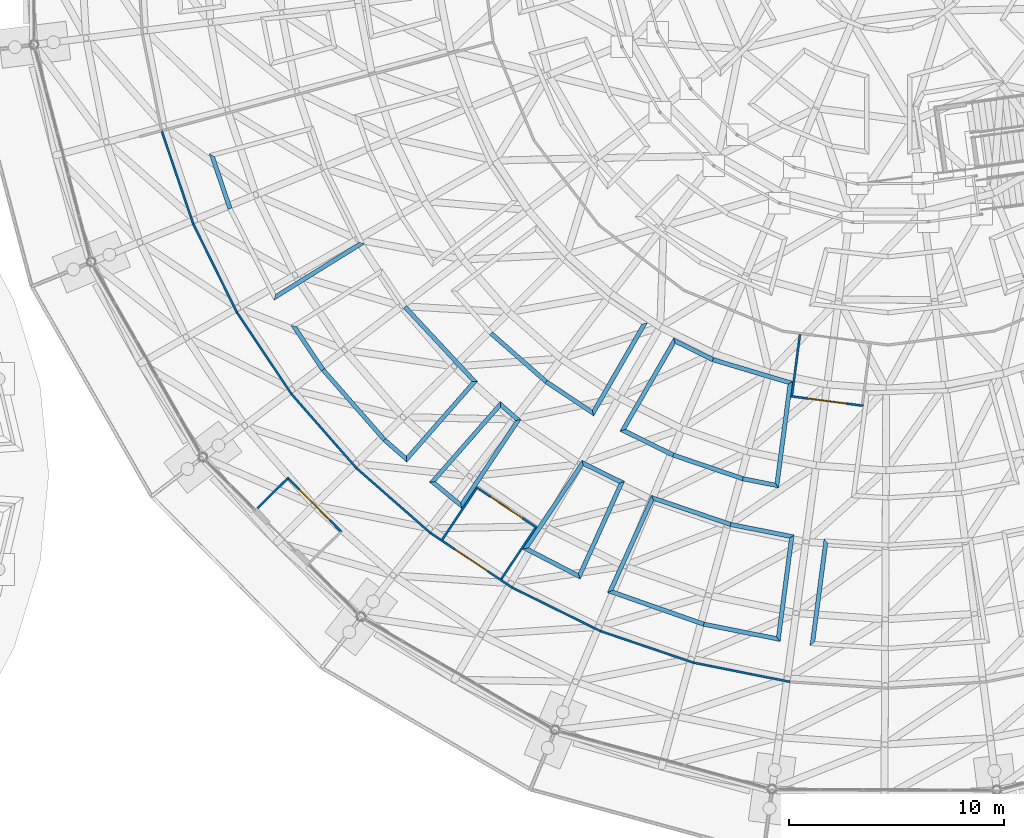
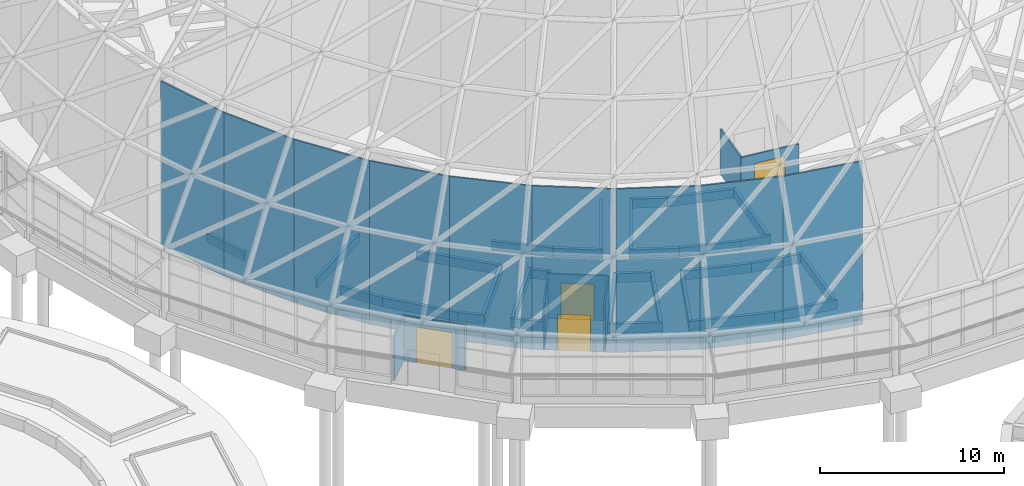
# One storey, part 167 of 226: 48 walls, 4 doors, 4 openings.
"""IFC4 building model written with IfcOpenShell, lengths in metres."""

from ifc_helpers import new_model, si_unit, direction, frame, frame_2d, origin, place, context, subcontext, project, spatial, polyline, rectangle, outline, extrude, material, layer, layer_set, type_object, element, fill, save


model = new_model("IFC4")

# Units and contexts
model_context = context("Model", 3, precision=1e-05, world=origin(), true_north=direction((0.0, 1.0)))
body_context = subcontext(model_context, "Body", "Model", "MODEL_VIEW")
ifc_project = project(units=[si_unit("LENGTHUNIT", "METRE"), si_unit("AREAUNIT", "SQUARE_METRE"), si_unit("VOLUMEUNIT", "CUBIC_METRE"), si_unit("PLANEANGLEUNIT", "RADIAN"), si_unit("MASSUNIT", "GRAM", prefix="KILO")], contexts=[model_context])

# Site, building, storey
site_placement = place(None, origin())
site = spatial("IfcSite", under=ifc_project, at=site_placement, CompositionType="ELEMENT")
building_placement = place(site_placement, origin())
building = spatial("IfcBuilding", under=site, at=building_placement, Name="Ceibo Conservatory and Research Tower", CompositionType="ELEMENT")
storey_placement = place(building_placement, origin())
storey = spatial("IfcBuildingStorey", under=building, at=storey_placement, Name="L00", CompositionType="ELEMENT", Elevation=0.0)

# Wall
ifc_material_1 = material(Name="Aluminium and glass", Category="aluminium")
ifc_layer_1 = layer(ifc_material_1, 0.10009765625)
ifc_layer_set_1 = layer_set([ifc_layer_1], Name="Aluminium and glass")
wall_type_1 = type_object("IfcWallType", Name="Airlock screen wall 100", PredefinedType="PARTITIONING", material=ifc_layer_set_1)
wall_1_placement = place(storey_placement, frame((126.6923828125, 81.4111328125, 0.0), z_axis=(0.0, 0.0, 1.0), x_axis=(0.710212756129, 0.703987102887, 0.0)))
element("IfcWall", 1, at=wall_1_placement, inside=storey, type_object=wall_type_1, Name="Vestibule wall A-VW15", PredefinedType="PARTITIONING", context=body_context, shape_type="SweptSolid", body=[
    extrude(outline(polyline([(0.0, -0.050048828125), (1.949951171875, -0.050048828125), (2.050048828125, 0.050048828125), (0.0, 0.050048828125), (0.0, -0.050048828125)])), origin(), (0.0, 0.0, 1.0), 3.0),
])

# Wall, opening, door
wall_2_placement = place(storey_placement, frame((128.11279296875, 82.819091796875, 0.0), z_axis=(0.0, 0.0, 1.0), x_axis=(0.704030927659, -0.71016931284, 0.0)))
wall_2 = element("IfcWall", 2, at=wall_2_placement, inside=storey, type_object=wall_type_1, Name="Vestibule wall A-VW15", PredefinedType="PARTITIONING", context=body_context, shape_type="SweptSolid", body=[
    extrude(outline(polyline([(0.050048828125, -0.050048828125), (3.449951171875, -0.050048828125), (3.550048828125, 0.050048828125), (-0.050048828125, 0.050048828125), (0.050048828125, -0.050048828125)])), origin(), (0.0, 0.0, 1.0), 3.0),
])
opening_1_placement = place(wall_2_placement, frame((0.75, 0.0, 0.0)))
opening_1 = element("IfcOpeningElement", 3, at=opening_1_placement, cuts=wall_2, Name="Opening A-VD15", PredefinedType="OPENING", context=body_context, shape_type="SweptSolid", body=[
    extrude(rectangle(XDim=2.0, YDim=2.39990234375, at=frame_2d((1.0, 1.199951171875))), frame((0.0, 0.06005859375, 0.0), z_axis=(0.0, -1.0, 0.0), x_axis=(1.0, 0.0, 0.0)), (0.0, 0.0, 1.0), 0.1201171875),
])
door_type_1 = type_object("IfcDoorType", Name="Gallery sliding door 2000x2400", OperationType="DOUBLE_DOOR_SLIDING", PredefinedType="DOOR", material=ifc_material_1)
door_1_placement = place(opening_1_placement, origin())
door_1 = element("IfcDoor", 4, at=door_1_placement, inside=storey, type_object=door_type_1, Name="Vestibule door A-VD15", OperationType="DOUBLE_DOOR_SLIDING", OverallHeight=2.39990234375, OverallWidth=2.0, PredefinedType="DOOR", context=body_context, shape_type="SweptSolid", body=[
    extrude(rectangle(XDim=2.0, YDim=2.39990234375, at=frame_2d((1.0, 1.199951171875))), frame((0.0, 0.02490234375, 0.0), z_axis=(0.0, -1.0, 0.0), x_axis=(1.0, 0.0, 0.0)), (0.0, 0.0, 1.0), 0.050048828125),
])
fill(opening_1, door_1)

# Walls
wall_3_placement = place(storey_placement, frame((122.240966796875, 98.954345703125, 0.0), z_axis=(0.0, 0.0, 1.0), x_axis=(0.321429748592, -0.946933427818, 0.0)))
element("IfcWall", 5, at=wall_3_placement, inside=storey, type_object=wall_type_1, Name="Glazed partition O", PredefinedType="PARTITIONING", context=body_context, shape_type="SweptSolid", body=[
    extrude(outline(polyline([(-0.003173828125, -0.050048828125), (4.574951171875, -0.050048828125), (4.568603515625, 0.050048828125), (0.003173828125, 0.050048828125), (-0.003173828125, -0.050048828125)])), origin(), (0.0, 0.0, 1.0), 10.841552734375),
])
wall_4_placement = place(storey_placement, frame((123.71044921875, 94.625244140625, 0.0), z_axis=(0.0, 0.0, 1.0), x_axis=(0.442293661028, -0.896870290184, 0.0)))
element("IfcWall", 6, at=wall_4_placement, inside=storey, type_object=wall_type_1, Name="Glazed partition O", PredefinedType="PARTITIONING", context=body_context, shape_type="SweptSolid", body=[
    extrude(outline(polyline([(-0.003173828125, -0.050048828125), (4.57470703125, -0.050048828125), (4.568359375, 0.050048828125), (0.003173828125, 0.050048828125), (-0.003173828125, -0.050048828125)])), origin(), (0.0, 0.0, 1.0), 10.84130859375),
])
wall_5_placement = place(storey_placement, frame((125.732421875, 90.525146484375, 0.0), z_axis=(0.0, 0.0, 1.0), x_axis=(0.555587164031, -0.831458299113, 0.0)))
element("IfcWall", 7, at=wall_5_placement, inside=storey, type_object=wall_type_1, Name="Glazed partition O", PredefinedType="PARTITIONING", context=body_context, shape_type="SweptSolid", body=[
    extrude(outline(polyline([(-0.003173828125, -0.050048828125), (4.574951171875, -0.050048828125), (4.568603515625, 0.050048828125), (0.003173828125, 0.050048828125), (-0.003173828125, -0.050048828125)])), origin(), (0.0, 0.0, 1.0), 10.841552734375),
])
wall_6_placement = place(storey_placement, frame((128.2724609375, 86.723876953125, 0.0), z_axis=(0.0, 0.0, 1.0), x_axis=(0.659317088075, -0.751864999433, 0.0)))
element("IfcWall", 8, at=wall_6_placement, inside=storey, type_object=wall_type_1, Name="Glazed partition O", PredefinedType="PARTITIONING", context=body_context, shape_type="SweptSolid", body=[
    extrude(outline(polyline([(-0.003173828125, -0.050048828125), (4.57470703125, -0.050048828125), (4.568359375, 0.050048828125), (0.003173828125, 0.050048828125), (-0.003173828125, -0.050048828125)])), origin(), (0.0, 0.0, 1.0), 10.841552734375),
])
wall_7_placement = place(storey_placement, frame((131.28662109375, 83.28662109375, 0.0), z_axis=(0.0, 0.0, 1.0), x_axis=(0.751864999433, -0.659317088075, 0.0)))
element("IfcWall", 9, at=wall_7_placement, inside=storey, type_object=wall_type_1, Name="Glazed partition O", PredefinedType="PARTITIONING", context=body_context, shape_type="SweptSolid", body=[
    extrude(outline(polyline([(-0.003173828125, -0.050048828125), (4.57470703125, -0.050048828125), (4.568359375, 0.050048828125), (0.003173828125, 0.050048828125), (-0.003173828125, -0.050048828125)])), origin(), (0.0, 0.0, 1.0), 10.84130859375),
])

# Wall, opening, door
wall_8_placement = place(storey_placement, frame((134.723876953125, 80.2724609375, 0.0), z_axis=(0.0, 0.0, 1.0), x_axis=(0.831458299113, -0.555587164031, 0.0)))
wall_8 = element("IfcWall", 10, at=wall_8_placement, inside=storey, type_object=wall_type_1, Name="Glazed partition O", PredefinedType="PARTITIONING", context=body_context, shape_type="SweptSolid", body=[
    extrude(outline(polyline([(-0.003173828125, -0.050048828125), (4.574951171875, -0.050048828125), (4.568603515625, 0.050048828125), (0.003173828125, 0.050048828125), (-0.003173828125, -0.050048828125)])), origin(), (0.0, 0.0, 1.0), 10.841552734375),
])
opening_2_placement = place(wall_8_placement, frame((1.385986328125, 0.0, 0.0)))
opening_2 = element("IfcOpeningElement", 11, at=opening_2_placement, cuts=wall_8, Name="Opening A-AL07", PredefinedType="OPENING", context=body_context, shape_type="SweptSolid", body=[
    extrude(rectangle(XDim=1.800048828125, YDim=2.39990234375, at=frame_2d((0.89990234375, 1.199951171875))), frame((0.0, 0.06005859375, 0.0), z_axis=(0.0, -1.0, 0.0), x_axis=(1.0, 0.0, 0.0)), (0.0, 0.0, 1.0), 0.1201171875),
])
door_type_2 = type_object("IfcDoorType", Name="Glass sliding door 1800x2400", OperationType="DOUBLE_DOOR_SLIDING", PredefinedType="DOOR", material=ifc_material_1)
door_2_placement = place(opening_2_placement, origin())
door_2 = element("IfcDoor", 12, at=door_2_placement, inside=storey, type_object=door_type_2, Name="Airlock door A-AL07", OperationType="DOUBLE_DOOR_SLIDING", OverallHeight=2.39990234375, OverallWidth=1.800048828125, PredefinedType="DOOR", context=body_context, shape_type="SweptSolid", body=[
    extrude(rectangle(XDim=1.800048828125, YDim=2.39990234375, at=frame_2d((0.89990234375, 1.199951171875))), frame((0.0, 0.02490234375, 0.0), z_axis=(0.0, -1.0, 0.0), x_axis=(1.0, 0.0, 0.0)), (0.0, 0.0, 1.0), 0.050048828125),
])
fill(opening_2, door_2)

# Walls
wall_9_placement = place(storey_placement, frame((138.525146484375, 77.732421875, 0.0), z_axis=(0.0, 0.0, 1.0), x_axis=(0.896870290184, -0.442293661028, 0.0)))
element("IfcWall", 13, at=wall_9_placement, inside=storey, type_object=wall_type_1, Name="Glazed partition O", PredefinedType="PARTITIONING", context=body_context, shape_type="SweptSolid", body=[
    extrude(outline(polyline([(-0.003173828125, -0.050048828125), (4.57470703125, -0.050048828125), (4.568359375, 0.050048828125), (0.003173828125, 0.050048828125), (-0.003173828125, -0.050048828125)])), origin(), (0.0, 0.0, 1.0), 10.841552734375),
])
wall_10_placement = place(storey_placement, frame((142.625244140625, 75.71044921875, 0.0), z_axis=(0.0, 0.0, 1.0), x_axis=(0.946933427818, -0.321429748592, 0.0)))
element("IfcWall", 14, at=wall_10_placement, inside=storey, type_object=wall_type_1, Name="Glazed partition O", PredefinedType="PARTITIONING", context=body_context, shape_type="SweptSolid", body=[
    extrude(outline(polyline([(-0.003173828125, -0.050048828125), (4.574951171875, -0.050048828125), (4.568603515625, 0.050048828125), (0.003173828125, 0.050048828125), (-0.003173828125, -0.050048828125)])), origin(), (0.0, 0.0, 1.0), 10.84130859375),
])
wall_11_placement = place(storey_placement, frame((146.954345703125, 74.240966796875, 0.0), z_axis=(0.0, 0.0, 1.0), x_axis=(0.9807875747, -0.195078787454, 0.0)))
element("IfcWall", 15, at=wall_11_placement, inside=storey, type_object=wall_type_1, Name="Glazed partition O", PredefinedType="PARTITIONING", context=body_context, shape_type="SweptSolid", body=[
    extrude(outline(polyline([(-0.003173828125, -0.050048828125), (4.574951171875, -0.050048828125), (4.568603515625, 0.050048828125), (0.003173828125, 0.050048828125), (-0.003173828125, -0.050048828125)])), origin(), (0.0, 0.0, 1.0), 10.841552734375),
])
wall_12_placement = place(storey_placement, frame((135.2802734375, 79.960693359375, 0.0), z_axis=(0.0, 0.0, 1.0), x_axis=(0.555609208993, 0.831443568068, 0.0)))
element("IfcWall", 16, at=wall_12_placement, inside=storey, type_object=wall_type_1, Name="Glazed partition A", PredefinedType="PARTITIONING", context=body_context, shape_type="SweptSolid", body=[
    extrude(rectangle(XDim=2.85009765625, YDim=0.10009765625, at=frame_2d((1.425048828125, 0.0))), origin(), (0.0, 0.0, 1.0), 3.0),
])
wall_13_placement = place(storey_placement, frame((138.024169921875, 78.127197265625, 0.0), z_axis=(0.0, 0.0, 1.0), x_axis=(0.555569638572, 0.8314700095, 0.0)))
element("IfcWall", 17, at=wall_13_placement, inside=storey, type_object=wall_type_1, Name="Glazed partition A", PredefinedType="PARTITIONING", context=body_context, shape_type="SweptSolid", body=[
    extrude(rectangle(XDim=2.850341796875, YDim=0.10009765625, at=frame_2d((1.42529296875, 0.0))), origin(), (0.0, 0.0, 1.0), 3.0),
])

# Wall, opening, door
wall_14_placement = place(storey_placement, frame((136.85009765625, 82.399658203125, 0.0), z_axis=(0.0, 0.0, 1.0), x_axis=(0.831464319789, -0.555578153744, 0.0)))
wall_14 = element("IfcWall", 18, at=wall_14_placement, inside=storey, type_object=wall_type_1, Name="Glazed partition A", PredefinedType="PARTITIONING", context=body_context, shape_type="SweptSolid", body=[
    extrude(rectangle(XDim=3.39990234375, YDim=0.10009765625, at=frame_2d((1.699951171875, 0.0))), origin(), (0.0, 0.0, 1.0), 3.0),
])
opening_3_placement = place(wall_14_placement, frame((0.800048828125, 0.0, 0.0)))
opening_3 = element("IfcOpeningElement", 19, at=opening_3_placement, cuts=wall_14, Name="Opening A-AL08", PredefinedType="OPENING", context=body_context, shape_type="SweptSolid", body=[
    extrude(rectangle(XDim=1.800048828125, YDim=2.39990234375, at=frame_2d((0.89990234375, 1.199951171875))), frame((0.0, 0.06005859375, 0.0), z_axis=(0.0, -1.0, 0.0), x_axis=(1.0, 0.0, 0.0)), (0.0, 0.0, 1.0), 0.1201171875),
])
door_3_placement = place(opening_3_placement, origin())
door_3 = element("IfcDoor", 20, at=door_3_placement, inside=storey, type_object=door_type_2, Name="Airlock door A-AL08", OperationType="DOUBLE_DOOR_SLIDING", OverallHeight=2.39990234375, OverallWidth=1.800048828125, PredefinedType="DOOR", context=body_context, shape_type="SweptSolid", body=[
    extrude(rectangle(XDim=1.800048828125, YDim=2.39990234375, at=frame_2d((0.89990234375, 1.199951171875))), frame((0.0, 0.02490234375, 0.0), z_axis=(0.0, -1.0, 0.0), x_axis=(1.0, 0.0, 0.0)), (0.0, 0.0, 1.0), 0.050048828125),
])
fill(opening_3, door_3)

# Wall
wall_15_placement = place(storey_placement, frame((151.89892578125, 89.489501953125, 0.0), z_axis=(0.0, 0.0, 1.0), x_axis=(-0.130547578832, -0.991442045538, 0.0)))
element("IfcWall", 21, at=wall_15_placement, inside=storey, type_object=wall_type_1, Name="Glazed partition A", PredefinedType="PARTITIONING", context=body_context, shape_type="SweptSolid", body=[
    extrude(rectangle(XDim=2.85009765625, YDim=0.10009765625, at=frame_2d((1.425048828125, 0.0))), origin(), (0.0, 0.0, 1.0), 3.0),
])

# Wall, opening, door
wall_16_placement = place(storey_placement, frame((151.470703125, 86.620849609375, 0.0), z_axis=(0.0, 0.0, 1.0), x_axis=(0.991442315347, -0.130545529753, 0.0)))
wall_16 = element("IfcWall", 22, at=wall_16_placement, inside=storey, type_object=wall_type_1, Name="Glazed partition A", PredefinedType="PARTITIONING", context=body_context, shape_type="SweptSolid", body=[
    extrude(rectangle(XDim=3.39990234375, YDim=0.10009765625, at=frame_2d((1.699951171875, 0.0))), origin(), (0.0, 0.0, 1.0), 3.0),
])
opening_4_placement = place(wall_16_placement, frame((0.800048828125, 0.0, 0.0)))
opening_4 = element("IfcOpeningElement", 23, at=opening_4_placement, cuts=wall_16, Name="Opening A-AL18", PredefinedType="OPENING", context=body_context, shape_type="SweptSolid", body=[
    extrude(rectangle(XDim=1.800048828125, YDim=2.39990234375, at=frame_2d((0.89990234375, 1.199951171875))), frame((0.0, 0.06005859375, 0.0), z_axis=(0.0, -1.0, 0.0), x_axis=(1.0, 0.0, 0.0)), (0.0, 0.0, 1.0), 0.1201171875),
])
door_4_placement = place(opening_4_placement, origin())
door_4 = element("IfcDoor", 24, at=door_4_placement, inside=storey, type_object=door_type_2, Name="Airlock door A-AL18", OperationType="DOUBLE_DOOR_SLIDING", OverallHeight=2.39990234375, OverallWidth=1.800048828125, PredefinedType="DOOR", context=body_context, shape_type="SweptSolid", body=[
    extrude(rectangle(XDim=1.800048828125, YDim=2.39990234375, at=frame_2d((0.89990234375, 1.199951171875))), frame((0.0, 0.02490234375, 0.0), z_axis=(0.0, -1.0, 0.0), x_axis=(1.0, 0.0, 0.0)), (0.0, 0.0, 1.0), 0.050048828125),
])
fill(opening_4, door_4)

# Walls
ifc_material_2 = material(Name="Masonry blockwork", Category="masonry")
ifc_layer_2 = layer(ifc_material_2, 0.199951171875)
ifc_layer_set_2 = layer_set([ifc_layer_2], Name="Masonry blockwork")
wall_type_2 = type_object("IfcWallType", Name="Dome planter wall 200", PredefinedType="SOLIDWALL", material=ifc_layer_set_2)
wall_17_placement = place(storey_placement, frame((137.544677734375, 89.544677734375, 0.0), z_axis=(0.0, 0.0, 1.0), x_axis=(0.751858614119, -0.65932436962, 0.0)))
element("IfcWall", 25, at=wall_17_placement, inside=storey, type_object=wall_type_2, Name="Planter wall A-PB048", PredefinedType="SOLIDWALL", context=body_context, shape_type="SweptSolid", body=[
    extrude(outline(polyline([(-0.006591796875, -0.10009765625), (3.420654296875, -0.10009765625), (3.407470703125, 0.10009765625), (0.006591796875, 0.10009765625), (-0.006591796875, -0.10009765625)])), origin(), (0.0, 0.0, 1.0), 0.60009765625),
])
wall_18_placement = place(storey_placement, frame((140.111572265625, 87.293701171875, 0.0), z_axis=(0.0, 0.0, 1.0), x_axis=(0.831431495198, -0.555627275062, 0.0)))
element("IfcWall", 26, at=wall_18_placement, inside=storey, type_object=wall_type_2, Name="Planter wall A-PB048", PredefinedType="SOLIDWALL", context=body_context, shape_type="SweptSolid", body=[
    extrude(outline(polyline([(-0.006591796875, -0.10009765625), (2.718994140625, -0.10009765625), (2.505615234375, 0.10009765625), (0.006591796875, 0.10009765625), (-0.006591796875, -0.10009765625)])), origin(), (0.0, 0.0, 1.0), 0.60009765625),
])
wall_19_placement = place(storey_placement, frame((142.283447265625, 85.84228515625, 0.0), z_axis=(0.0, 0.0, 1.0), x_axis=(0.500023335103, 0.866011930837, 0.0)))
element("IfcWall", 27, at=wall_19_placement, inside=storey, type_object=wall_type_2, Name="Planter wall A-PB048", PredefinedType="SOLIDWALL", context=body_context, shape_type="SweptSolid", body=[
    extrude(outline(polyline([(-0.106689453125, -0.10009765625), (4.893310546875, -0.10009765625), (4.705810546875, 0.10009765625), (0.106689453125, 0.10009765625), (-0.106689453125, -0.10009765625)])), origin(), (0.0, 0.0, 1.0), 0.60009765625),
])
wall_20_placement = place(storey_placement, frame((146.06884765625, 89.198974609375, 0.0), z_axis=(0.0, 0.0, 1.0), x_axis=(-0.499963159124, -0.866046672829, 0.0)))
element("IfcWall", 28, at=wall_20_placement, inside=storey, type_object=wall_type_2, Name="Planter wall A-PB049", PredefinedType="SOLIDWALL", context=body_context, shape_type="SweptSolid", body=[
    extrude(outline(polyline([(-0.09375, -0.10009765625), (4.90625, -0.10009765625), (4.69287109375, 0.10009765625), (0.09375, 0.10009765625), (-0.09375, -0.10009765625)])), origin(), (0.0, 0.0, 1.0), 0.60009765625),
])
wall_21_placement = place(storey_placement, frame((143.669189453125, 85.042236328125, 0.0), z_axis=(0.0, 0.0, 1.0), x_axis=(0.896881027944, -0.442271886643, 0.0)))
element("IfcWall", 29, at=wall_21_placement, inside=storey, type_object=wall_type_2, Name="Planter wall A-PB049", PredefinedType="SOLIDWALL", context=body_context, shape_type="SweptSolid", body=[
    extrude(outline(polyline([(-0.106689453125, -0.10009765625), (2.61865234375, -0.10009765625), (2.60546875, 0.10009765625), (0.106689453125, 0.10009765625), (-0.106689453125, -0.10009765625)])), origin(), (0.0, 0.0, 1.0), 0.60009765625),
])
wall_22_placement = place(storey_placement, frame((146.011962890625, 83.886962890625, 0.0), z_axis=(0.0, 0.0, 1.0), x_axis=(0.946931289536, -0.321436047913, 0.0)))
element("IfcWall", 30, at=wall_22_placement, inside=storey, type_object=wall_type_2, Name="Planter wall A-PB049", PredefinedType="SOLIDWALL", context=body_context, shape_type="SweptSolid", body=[
    extrude(outline(polyline([(-0.006591796875, -0.10009765625), (3.420654296875, -0.10009765625), (3.407470703125, 0.10009765625), (0.006591796875, 0.10009765625), (-0.006591796875, -0.10009765625)])), origin(), (0.0, 0.0, 1.0), 0.60009765625),
])
wall_23_placement = place(storey_placement, frame((149.244873046875, 82.78955078125, 0.0), z_axis=(0.0, 0.0, 1.0), x_axis=(0.980772662828, -0.195153744134, 0.0)))
element("IfcWall", 31, at=wall_23_placement, inside=storey, type_object=wall_type_2, Name="Planter wall A-PB049", PredefinedType="SOLIDWALL", context=body_context, shape_type="SweptSolid", body=[
    extrude(outline(polyline([(-0.006591796875, -0.10009765625), (1.716796875, -0.10009765625), (1.50341796875, 0.10009765625), (0.006591796875, 0.10009765625), (-0.006591796875, -0.10009765625)])), origin(), (0.0, 0.0, 1.0), 0.60009765625),
])
wall_24_placement = place(storey_placement, frame((150.823974609375, 82.475341796875, 0.0), z_axis=(0.0, 0.0, 1.0), x_axis=(0.13054382716, 0.99144253953, 0.0)))
element("IfcWall", 32, at=wall_24_placement, inside=storey, type_object=wall_type_2, Name="Planter wall A-PB049", PredefinedType="SOLIDWALL", context=body_context, shape_type="SweptSolid", body=[
    extrude(outline(polyline([(-0.106689453125, -0.10009765625), (4.8935546875, -0.10009765625), (4.72314453125, 0.10009765625), (0.106689453125, 0.10009765625), (-0.106689453125, -0.10009765625)])), origin(), (0.0, 0.0, 1.0), 0.60009765625),
])
wall_25_placement = place(storey_placement, frame((151.45166015625, 87.242431640625, 0.0), z_axis=(0.0, 0.0, 1.0), x_axis=(-0.9580102, 0.286734121958, 0.0)))
element("IfcWall", 33, at=wall_25_placement, inside=storey, type_object=wall_type_2, Name="Planter wall A-PB049", PredefinedType="SOLIDWALL", context=body_context, shape_type="SweptSolid", body=[
    extrude(outline(polyline([(-0.085205078125, -0.10009765625), (3.7509765625, -0.10009765625), (3.767578125, 0.10009765625), (0.085205078125, 0.10009765625), (-0.085205078125, -0.10009765625)])), origin(), (0.0, 0.0, 1.0), 0.60009765625),
])
wall_26_placement = place(storey_placement, frame((147.850341796875, 88.3203125, 0.0), z_axis=(0.0, 0.0, 1.0), x_axis=(-0.896847493932, 0.442339883605, 0.0)))
element("IfcWall", 34, at=wall_26_placement, inside=storey, type_object=wall_type_2, Name="Planter wall A-PB049", PredefinedType="SOLIDWALL", context=body_context, shape_type="SweptSolid", body=[
    extrude(outline(polyline([(0.00830078125, -0.10009765625), (2.080078125, -0.10009765625), (1.892578125, 0.10009765625), (-0.00830078125, 0.10009765625), (0.00830078125, -0.10009765625)])), origin(), (0.0, 0.0, 1.0), 0.60009765625),
])
wall_27_placement = place(storey_placement, frame((124.57568359375, 97.81982421875, 0.0), z_axis=(0.0, 0.0, 1.0), x_axis=(0.321467588498, -0.946920582491, 0.0)))
element("IfcWall", 35, at=wall_27_placement, inside=storey, type_object=wall_type_2, Name="Planter wall A-PB053", PredefinedType="SOLIDWALL", context=body_context, shape_type="SweptSolid", body=[
    extrude(outline(polyline([(-0.106689453125, -0.10009765625), (2.632568359375, -0.10009765625), (2.618408203125, 0.10009765625), (0.106689453125, 0.10009765625), (-0.106689453125, -0.10009765625)])), origin(), (0.0, 0.0, 1.0), 0.60009765625),
])
wall_28_placement = place(storey_placement, frame((127.50244140625, 91.22119140625, 0.0), z_axis=(0.0, 0.0, 1.0), x_axis=(0.849216994237, 0.52804402913, 0.0)))
element("IfcWall", 36, at=wall_28_placement, inside=storey, type_object=wall_type_2, Name="Planter wall A-PB053", PredefinedType="SOLIDWALL", context=body_context, shape_type="SweptSolid", body=[
    extrude(outline(polyline([(-0.109130859375, -0.10009765625), (4.853759765625, -0.10009765625), (4.672607421875, 0.10009765625), (0.109130859375, 0.10009765625), (-0.109130859375, -0.10009765625)])), origin(), (0.0, 0.0, 1.0), 0.60009765625),
])
wall_29_placement = place(storey_placement, frame((128.38134765625, 89.883544921875, 0.0), z_axis=(0.0, 0.0, 1.0), x_axis=(0.555621309914, -0.831435481544, 0.0)))
element("IfcWall", 37, at=wall_29_placement, inside=storey, type_object=wall_type_2, Name="Planter wall A-PB054", PredefinedType="SOLIDWALL", context=body_context, shape_type="SweptSolid", body=[
    extrude(outline(polyline([(-0.103271484375, -0.10009765625), (2.452392578125, -0.10009765625), (2.439208984375, 0.10009765625), (0.103271484375, 0.10009765625), (-0.103271484375, -0.10009765625)])), origin(), (0.0, 0.0, 1.0), 0.60009765625),
])
wall_30_placement = place(storey_placement, frame((129.740234375, 87.85009765625, 0.0), z_axis=(0.0, 0.0, 1.0), x_axis=(0.659354511028, -0.751832181266, 0.0)))
element("IfcWall", 38, at=wall_30_placement, inside=storey, type_object=wall_type_2, Name="Planter wall A-PB054", PredefinedType="SOLIDWALL", context=body_context, shape_type="SweptSolid", body=[
    extrude(outline(polyline([(-0.006591796875, -0.10009765625), (4.336181640625, -0.10009765625), (4.322998046875, 0.10009765625), (0.006591796875, 0.10009765625), (-0.006591796875, -0.10009765625)])), origin(), (0.0, 0.0, 1.0), 0.60009765625),
])
wall_31_placement = place(storey_placement, frame((132.594970703125, 84.594970703125, 0.0), z_axis=(0.0, 0.0, 1.0), x_axis=(0.751833784108, -0.659352683375, 0.0)))
element("IfcWall", 39, at=wall_31_placement, inside=storey, type_object=wall_type_2, Name="Planter wall A-PB054", PredefinedType="SOLIDWALL", context=body_context, shape_type="SweptSolid", body=[
    extrude(outline(polyline([(-0.006591796875, -0.10009765625), (1.464599609375, -0.10009765625), (1.264892578125, 0.10009765625), (0.006591796875, 0.10009765625), (-0.006591796875, -0.10009765625)])), origin(), (0.0, 0.0, 1.0), 0.60009765625),
])
wall_32_placement = place(storey_placement, frame((133.62109375, 83.695068359375, 0.0), z_axis=(0.0, 0.0, 1.0), x_axis=(0.659347018046, 0.751838752522, 0.0)))
element("IfcWall", 40, at=wall_32_placement, inside=storey, type_object=wall_type_2, Name="Planter wall A-PB054", PredefinedType="SOLIDWALL", context=body_context, shape_type="SweptSolid", body=[
    extrude(outline(polyline([(-0.099853515625, -0.10009765625), (4.88916015625, -0.10009765625), (4.70849609375, 0.10009765625), (0.099853515625, 0.10009765625), (-0.099853515625, -0.10009765625)])), origin(), (0.0, 0.0, 1.0), 0.60009765625),
])
wall_33_placement = place(storey_placement, frame((136.78515625, 87.302978515625, 0.0), z_axis=(0.0, 0.0, 1.0), x_axis=(-0.682314582504, 0.731058691558, 0.0)))
element("IfcWall", 41, at=wall_33_placement, inside=storey, type_object=wall_type_2, Name="Planter wall A-PB054", PredefinedType="SOLIDWALL", context=body_context, shape_type="SweptSolid", body=[
    extrude(outline(polyline([(-0.09033203125, -0.10009765625), (4.735107421875, -0.10009765625), (4.751220703125, 0.10009765625), (0.09033203125, 0.10009765625), (-0.09033203125, -0.10009765625)])), origin(), (0.0, 0.0, 1.0), 0.60009765625),
])
wall_34_placement = place(storey_placement, frame((139.1533203125, 79.547119140625, 0.0), z_axis=(0.0, 0.0, 1.0), x_axis=(0.887682104218, -0.460456818662, 0.0)))
element("IfcWall", 42, at=wall_34_placement, inside=storey, type_object=wall_type_2, Name="Planter wall A-PB055", PredefinedType="SOLIDWALL", context=body_context, shape_type="SweptSolid", body=[
    extrude(outline(polyline([(-0.111572265625, -0.10009765625), (2.911865234375, -0.10009765625), (2.700927734375, 0.10009765625), (0.111572265625, 0.10009765625), (-0.111572265625, -0.10009765625)])), origin(), (0.0, 0.0, 1.0), 0.60009765625),
])
wall_35_placement = place(storey_placement, frame((141.64453125, 78.2548828125, 0.0), z_axis=(0.0, 0.0, 1.0), x_axis=(0.412673549737, 0.910878993801, 0.0)))
element("IfcWall", 43, at=wall_35_placement, inside=storey, type_object=wall_type_2, Name="Planter wall A-PB055", PredefinedType="SOLIDWALL", context=body_context, shape_type="SweptSolid", body=[
    extrude(outline(polyline([(-0.10546875, -0.10009765625), (4.88623046875, -0.10009765625), (4.69287109375, 0.10009765625), (0.10546875, 0.10009765625), (-0.10546875, -0.10009765625)])), origin(), (0.0, 0.0, 1.0), 0.60009765625),
])
wall_36_placement = place(storey_placement, frame((143.62109375, 82.61767578125, 0.0), z_axis=(0.0, 0.0, 1.0), x_axis=(-0.896847952495, 0.442338953864, 0.0)))
element("IfcWall", 44, at=wall_36_placement, inside=storey, type_object=wall_type_2, Name="Planter wall A-PB055", PredefinedType="SOLIDWALL", context=body_context, shape_type="SweptSolid", body=[
    extrude(outline(polyline([(-0.0966796875, -0.10009765625), (2.11376953125, -0.10009765625), (1.9384765625, 0.10009765625), (0.0966796875, 0.10009765625), (-0.0966796875, -0.10009765625)])), origin(), (0.0, 0.0, 1.0), 0.60009765625),
])
wall_37_placement = place(storey_placement, frame((141.803955078125, 83.513916015625, 0.0), z_axis=(0.0, 0.0, 1.0), x_axis=(-0.555585568994, -0.831459364927, 0.0)))
element("IfcWall", 45, at=wall_37_placement, inside=storey, type_object=wall_type_2, Name="Planter wall A-PB055", PredefinedType="SOLIDWALL", context=body_context, shape_type="SweptSolid", body=[
    extrude(outline(polyline([(-0.087646484375, -0.10009765625), (4.882568359375, -0.10009765625), (4.659423828125, 0.10009765625), (0.087646484375, 0.10009765625), (-0.087646484375, -0.10009765625)])), origin(), (0.0, 0.0, 1.0), 0.60009765625),
])
wall_38_placement = place(storey_placement, frame((136.159423828125, 81.546142578125, 0.0), z_axis=(0.0, 0.0, 1.0), x_axis=(0.555597140644, 0.831451632573, 0.0)))
element("IfcWall", 46, at=wall_38_placement, inside=storey, type_object=wall_type_2, Name="Planter wall A-PB056", PredefinedType="SOLIDWALL", context=body_context, shape_type="SweptSolid", body=[
    extrude(outline(polyline([(-0.1103515625, -0.10009765625), (4.85986328125, -0.10009765625), (4.6845703125, 0.10009765625), (0.1103515625, 0.10009765625), (-0.1103515625, -0.10009765625)])), origin(), (0.0, 0.0, 1.0), 0.60009765625),
])
wall_39_placement = place(storey_placement, frame((138.810791015625, 85.513916015625, 0.0), z_axis=(0.0, 0.0, 1.0), x_axis=(-0.751863081783, 0.659319274897, 0.0)))
element("IfcWall", 47, at=wall_39_placement, inside=storey, type_object=wall_type_2, Name="Planter wall A-PB056", PredefinedType="SOLIDWALL", context=body_context, shape_type="SweptSolid", body=[
    extrude(outline(polyline([(-0.087646484375, -0.10009765625), (1.20263671875, -0.10009765625), (1.0029296875, 0.10009765625), (0.087646484375, 0.10009765625), (-0.087646484375, -0.10009765625)])), origin(), (0.0, 0.0, 1.0), 0.60009765625),
])
wall_40_placement = place(storey_placement, frame((137.981689453125, 86.240966796875, 0.0), z_axis=(0.0, 0.0, 1.0), x_axis=(-0.659324013073, -0.751858926784, 0.0)))
element("IfcWall", 48, at=wall_40_placement, inside=storey, type_object=wall_type_2, Name="Planter wall A-PB056", PredefinedType="SOLIDWALL", context=body_context, shape_type="SweptSolid", body=[
    extrude(outline(polyline([(-0.099853515625, -0.10009765625), (4.88916015625, -0.10009765625), (4.6826171875, 0.10009765625), (0.099853515625, 0.10009765625), (-0.099853515625, -0.10009765625)])), origin(), (0.0, 0.0, 1.0), 0.60009765625),
])
wall_41_placement = place(storey_placement, frame((134.826171875, 82.642578125, 0.0), z_axis=(0.0, 0.0, 1.0), x_axis=(0.772366892507, -0.635176655237, 0.0)))
element("IfcWall", 49, at=wall_41_placement, inside=storey, type_object=wall_type_2, Name="Planter wall A-PB056", PredefinedType="SOLIDWALL", context=body_context, shape_type="SweptSolid", body=[
    extrude(outline(polyline([(-0.103271484375, -0.10009765625), (1.83642578125, -0.10009765625), (1.61572265625, 0.10009765625), (0.103271484375, 0.10009765625), (-0.103271484375, -0.10009765625)])), origin(), (0.0, 0.0, 1.0), 0.60009765625),
])
wall_42_placement = place(storey_placement, frame((145.050048828125, 81.894775390625, 0.0), z_axis=(0.0, 0.0, 1.0), x_axis=(-0.412686520407, -0.91087311733, 0.0)))
element("IfcWall", 50, at=wall_42_placement, inside=storey, type_object=wall_type_2, Name="Planter wall A-PB057", PredefinedType="SOLIDWALL", context=body_context, shape_type="SweptSolid", body=[
    extrude(outline(polyline([(-0.090576171875, -0.10009765625), (4.8720703125, -0.10009765625), (4.65380859375, 0.10009765625), (0.090576171875, 0.10009765625), (-0.090576171875, -0.10009765625)])), origin(), (0.0, 0.0, 1.0), 0.60009765625),
])
wall_43_placement = place(storey_placement, frame((143.08447265625, 77.556396484375, 0.0), z_axis=(0.0, 0.0, 1.0), x_axis=(0.943443127603, -0.331534409947, 0.0)))
element("IfcWall", 51, at=wall_43_placement, inside=storey, type_object=wall_type_2, Name="Planter wall A-PB057", PredefinedType="SOLIDWALL", context=body_context, shape_type="SweptSolid", body=[
    extrude(outline(polyline([(-0.109130859375, -0.10009765625), (4.616943359375, -0.10009765625), (4.602783203125, 0.10009765625), (0.109130859375, 0.10009765625), (-0.109130859375, -0.10009765625)])), origin(), (0.0, 0.0, 1.0), 0.60009765625),
])
wall_44_placement = place(storey_placement, frame((147.43359375, 76.028076171875, 0.0), z_axis=(0.0, 0.0, 1.0), x_axis=(0.980782461665, -0.195104492233, 0.0)))
element("IfcWall", 52, at=wall_44_placement, inside=storey, type_object=wall_type_2, Name="Planter wall A-PB057", PredefinedType="SOLIDWALL", context=body_context, shape_type="SweptSolid", body=[
    extrude(outline(polyline([(-0.007080078125, -0.10009765625), (3.63427734375, -0.10009765625), (3.4208984375, 0.10009765625), (0.007080078125, 0.10009765625), (-0.007080078125, -0.10009765625)])), origin(), (0.0, 0.0, 1.0), 0.60009765625),
])
wall_45_placement = place(storey_placement, frame((150.893310546875, 75.33984375, 0.0), z_axis=(0.0, 0.0, 1.0), x_axis=(0.130524250688, 0.991445116979, 0.0)))
element("IfcWall", 53, at=wall_45_placement, inside=storey, type_object=wall_type_2, Name="Planter wall A-PB057", PredefinedType="SOLIDWALL", context=body_context, shape_type="SweptSolid", body=[
    extrude(outline(polyline([(-0.106689453125, -0.10009765625), (4.893310546875, -0.10009765625), (4.705810546875, 0.10009765625), (0.106689453125, 0.10009765625), (-0.106689453125, -0.10009765625)])), origin(), (0.0, 0.0, 1.0), 0.60009765625),
])
wall_46_placement = place(storey_placement, frame((151.519775390625, 80.098388671875, 0.0), z_axis=(0.0, 0.0, 1.0), x_axis=(-0.98079378403, 0.195047566526, 0.0)))
element("IfcWall", 54, at=wall_46_placement, inside=storey, type_object=wall_type_2, Name="Planter wall A-PB057", PredefinedType="SOLIDWALL", context=body_context, shape_type="SweptSolid", body=[
    extrude(outline(polyline([(-0.09375, -0.10009765625), (2.8935546875, -0.10009765625), (2.90673828125, 0.10009765625), (0.09375, 0.10009765625), (-0.09375, -0.10009765625)])), origin(), (0.0, 0.0, 1.0), 0.60009765625),
])
wall_47_placement = place(storey_placement, frame((148.67529296875, 80.6640625, 0.0), z_axis=(0.0, 0.0, 1.0), x_axis=(-0.946921516575, 0.32146483703, 0.0)))
element("IfcWall", 55, at=wall_47_placement, inside=storey, type_object=wall_type_2, Name="Planter wall A-PB057", PredefinedType="SOLIDWALL", context=body_context, shape_type="SweptSolid", body=[
    extrude(outline(polyline([(0.006591796875, -0.10009765625), (3.9189453125, -0.10009765625), (3.73779296875, 0.10009765625), (-0.006591796875, 0.10009765625), (0.006591796875, -0.10009765625)])), origin(), (0.0, 0.0, 1.0), 0.60009765625),
])
wall_48_placement = place(storey_placement, frame((153.106201171875, 79.889404296875, 0.0), z_axis=(0.0, 0.0, 1.0), x_axis=(-0.13057425041, -0.991438533208, 0.0)))
element("IfcWall", 56, at=wall_48_placement, inside=storey, type_object=wall_type_2, Name="Planter wall A-PB058", PredefinedType="SOLIDWALL", context=body_context, shape_type="SweptSolid", body=[
    extrude(outline(polyline([(-0.09375, -0.10009765625), (4.90625, -0.10009765625), (4.69287109375, 0.10009765625), (0.09375, 0.10009765625), (-0.09375, -0.10009765625)])), origin(), (0.0, 0.0, 1.0), 0.60009765625),
])

save(model, "model.ifc")
